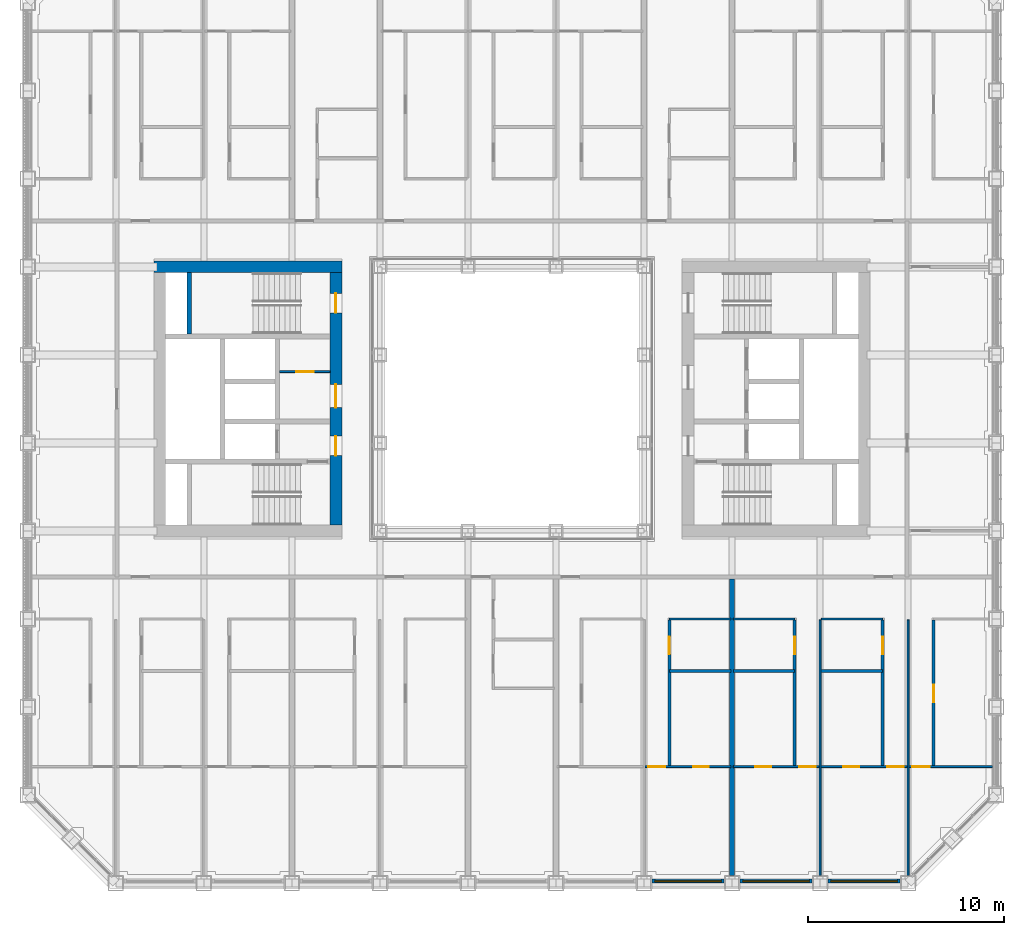
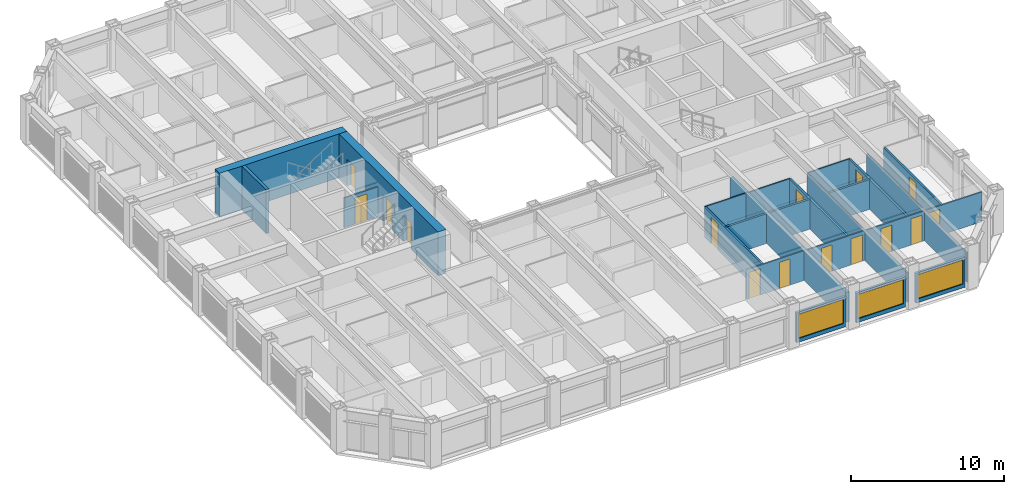
# One storey, part 11 of 20: 24 walls, 15 doors, 3 windows, 18 openings.
"""IFC4 building model written with IfcOpenShell, lengths in metres."""

from ifc_helpers import new_model, si_unit, direction, frame, frame_2d, origin, place, context, subcontext, project, spatial, rectangle, extrude, material, layer, layer_set, type_object, element, fill, save


model = new_model("IFC4")

# Units and contexts
model_context = context("Model", 3, precision=1e-05, world=origin(), true_north=direction((0.0, 1.0)))
body_context = subcontext(model_context, "Body", "Model", "MODEL_VIEW")
ifc_project = project(units=[si_unit("LENGTHUNIT", "METRE"), si_unit("AREAUNIT", "SQUARE_METRE"), si_unit("VOLUMEUNIT", "CUBIC_METRE"), si_unit("PLANEANGLEUNIT", "RADIAN"), si_unit("MASSUNIT", "GRAM", prefix="KILO")], contexts=[model_context])

# Site, building, storey
site_placement = place(None, origin())
site = spatial("IfcSite", under=ifc_project, at=site_placement, CompositionType="ELEMENT")
building_placement = place(site_placement, origin())
building = spatial("IfcBuilding", under=site, at=building_placement, Name="Msasa Ring Tower", CompositionType="ELEMENT")
storey_placement = place(building_placement, frame((0.0, 0.0, 65.0)))
storey = spatial("IfcBuildingStorey", under=building, at=storey_placement, Name="L16", CompositionType="ELEMENT", Elevation=65.0)

# Wall
ifc_material_1 = material(Name="Concrete C60/75", Category="concrete")
ifc_layer_1 = layer(ifc_material_1, 0.60009765625)
ifc_layer_set_1 = layer_set([ifc_layer_1], Name="CW1 CORE WALL 600")
wall_type_1 = type_object("IfcWallType", Name="CW1 CORE WALL 600", PredefinedType="SHEAR", material=ifc_layer_set_1)
wall_1_placement = place(storey_placement, frame((-8.699951171875, 6.75, 0.0), z_axis=(0.0, 0.0, 1.0), x_axis=(-1.0, 0.0, 0.0)))
element("IfcWall", 1, at=wall_1_placement, inside=storey, type_object=wall_type_1, Name="W core wall N L16", PredefinedType="SHEAR", context=body_context, shape_type="SweptSolid", body=[
    extrude(rectangle(XDim=9.60009765625, YDim=0.60009765625, at=frame_2d((4.800048828125, 0.0))), origin(), (0.0, 0.0, 1.0), 3.5),
])

# Wall, openings, doors
wall_2_placement = place(storey_placement, frame((-9.0, -6.449951171875, 0.0), z_axis=(0.0, 0.0, 1.0), x_axis=(0.0, 1.0, 0.0)))
wall_2 = element("IfcWall", 2, at=wall_2_placement, inside=storey, type_object=wall_type_1, Name="W core wall W L16", PredefinedType="SHEAR", context=body_context, shape_type="SweptSolid", body=[
    extrude(rectangle(XDim=12.89990234375, YDim=0.60009765625, at=frame_2d((6.449951171875, 0.0))), origin(), (0.0, 0.0, 1.0), 3.5),
])
opening_1_placement = place(wall_2_placement, frame((3.550048828125, 0.0, 0.0)))
opening_1 = element("IfcOpeningElement", 3, at=opening_1_placement, cuts=wall_2, Name="Opening RD-042", PredefinedType="OPENING", context=body_context, shape_type="SweptSolid", body=[
    extrude(rectangle(XDim=1.0, YDim=2.10009765625, at=frame_2d((0.5, 1.050048828125))), frame((0.0, 0.31005859375, 0.0), z_axis=(0.0, -1.0, 0.0), x_axis=(1.0, 0.0, 0.0)), (0.0, 0.0, 1.0), 0.6201171875),
])
opening_2_placement = place(wall_2_placement, frame((6.0, 0.0, 0.0)))
opening_2 = element("IfcOpeningElement", 4, at=opening_2_placement, cuts=wall_2, Name="Opening RD-039", PredefinedType="OPENING", context=body_context, shape_type="SweptSolid", body=[
    extrude(rectangle(XDim=1.199951171875, YDim=2.10009765625, at=frame_2d((0.60009765625, 1.050048828125))), frame((0.0, 0.31005859375, 0.0), z_axis=(0.0, -1.0, 0.0), x_axis=(1.0, 0.0, 0.0)), (0.0, 0.0, 1.0), 0.6201171875),
])
opening_3_placement = place(wall_2_placement, frame((10.85009765625, 0.0, 0.0)))
opening_3 = element("IfcOpeningElement", 5, at=opening_3_placement, cuts=wall_2, Name="Opening RD-035", PredefinedType="OPENING", context=body_context, shape_type="SweptSolid", body=[
    extrude(rectangle(XDim=1.0, YDim=2.10009765625, at=frame_2d((0.5, 1.050048828125))), frame((0.0, 0.31005859375, 0.0), z_axis=(0.0, -1.0, 0.0), x_axis=(1.0, 0.0, 0.0)), (0.0, 0.0, 1.0), 0.6201171875),
])
ifc_material_2 = material(Name="Timber door leaf in a steel frame", Category="steel")
door_type_1 = type_object("IfcDoorType", Name="D26 WIDE SERVICE ROOM DOOR 1200x2100", OperationType="SINGLE_SWING_LEFT", PredefinedType="DOOR", material=ifc_material_2)
door_1_placement = place(opening_2_placement, origin())
door_1 = element("IfcDoor", 6, at=door_1_placement, inside=storey, type_object=door_type_1, Name="Door L16-WCR", OperationType="SINGLE_SWING_RIGHT", OverallHeight=2.10009765625, OverallWidth=1.199951171875, PredefinedType="DOOR", context=body_context, shape_type="SweptSolid", body=[
    extrude(rectangle(XDim=1.199951171875, YDim=2.10009765625, at=frame_2d((0.60009765625, 1.050048828125))), frame((0.0, 0.02490234375, 0.0), z_axis=(0.0, -1.0, 0.0), x_axis=(1.0, 0.0, 0.0)), (0.0, 0.0, 1.0), 0.050048828125),
])
fill(opening_2, door_1)
ifc_material_3 = material(Name="Timber door leaf in a steel frame", Category="steel")
door_type_2 = type_object("IfcDoorType", Name="D4 LOBBY DOOR 1000x2100", OperationType="SINGLE_SWING_LEFT", PredefinedType="DOOR", material=ifc_material_3)
door_2_placement = place(opening_1_placement, origin())
door_2 = element("IfcDoor", 7, at=door_2_placement, inside=storey, type_object=door_type_2, Name="Door L16-WFFL", OperationType="SINGLE_SWING_LEFT", OverallHeight=2.10009765625, OverallWidth=1.0, PredefinedType="DOOR", context=body_context, shape_type="SweptSolid", body=[
    extrude(rectangle(XDim=1.0, YDim=2.10009765625, at=frame_2d((0.5, 1.050048828125))), frame((0.0, 0.02490234375, 0.0), z_axis=(0.0, -1.0, 0.0), x_axis=(1.0, 0.0, 0.0)), (0.0, 0.0, 1.0), 0.050048828125),
])
fill(opening_1, door_2)
ifc_material_4 = material(Name="Timber door leaf in a steel frame", Category="steel")
door_type_3 = type_object("IfcDoorType", Name="D6 STAIR DOOR 1000x2100", OperationType="SINGLE_SWING_LEFT", PredefinedType="DOOR", material=ifc_material_4)
door_3_placement = place(opening_3_placement, origin())
door_3 = element("IfcDoor", 8, at=door_3_placement, inside=storey, type_object=door_type_3, Name="Door L16-WSTB", OperationType="SINGLE_SWING_RIGHT", OverallHeight=2.10009765625, OverallWidth=1.0, PredefinedType="DOOR", context=body_context, shape_type="SweptSolid", body=[
    extrude(rectangle(XDim=1.0, YDim=2.10009765625, at=frame_2d((0.5, 1.050048828125))), frame((0.0, 0.02490234375, 0.0), z_axis=(0.0, -1.0, 0.0), x_axis=(1.0, 0.0, 0.0)), (0.0, 0.0, 1.0), 0.050048828125),
])
fill(opening_3, door_3)

# Wall
ifc_material_5 = material(Name="Concrete C60/75", Category="concrete")
ifc_layer_2 = layer(ifc_material_5, 0.25)
ifc_layer_set_2 = layer_set([ifc_layer_2], Name="CW4 CORE INNER WALL 250")
wall_type_2 = type_object("IfcWallType", Name="CW4 CORE INNER WALL 250", PredefinedType="SHEAR", material=ifc_layer_set_2)
wall_3_placement = place(storey_placement, frame((-16.5, 3.324951171875, 0.0), z_axis=(0.0, 0.0, 1.0), x_axis=(0.0, 1.0, 0.0)))
element("IfcWall", 9, at=wall_3_placement, inside=storey, type_object=wall_type_2, Name="W core wall RISERB L16", PredefinedType="SHEAR", context=body_context, shape_type="SweptSolid", body=[
    extrude(rectangle(XDim=3.125, YDim=0.25, at=frame_2d((1.5625, 0.0))), origin(), (0.0, 0.0, 1.0), 3.5),
])

# Wall, opening, window
ifc_material_6 = material(Name="Terracotta rainscreen on blockwork", Category="masonry")
ifc_layer_3 = layer(ifc_material_6, 0.199951171875)
ifc_layer_set_3 = layer_set([ifc_layer_3], Name="FW1 TERRACOTTA-LINED INFILL BAY WALL 200")
wall_type_3 = type_object("IfcWallType", Name="FW1 TERRACOTTA-LINED INFILL BAY WALL 200", PredefinedType="SOLIDWALL", material=ifc_layer_set_3)
wall_4_placement = place(storey_placement, frame((7.155029296875, -24.64990234375, 0.0), z_axis=(0.0, 0.0, 1.0), x_axis=(1.0, 0.0, 0.0)))
wall_4 = element("IfcWall", 10, at=wall_4_placement, inside=storey, type_object=wall_type_3, Name="Infill bay wall S L16 06", PredefinedType="SOLIDWALL", context=body_context, shape_type="SweptSolid", body=[
    extrude(rectangle(XDim=3.68994140625, YDim=0.199951171875, at=frame_2d((1.844970703125, 0.0))), origin(), (0.0, 0.0, 1.0), 2.37890625),
])
opening_4_placement = place(wall_4_placement, frame((0.14501953125, 0.0, 0.300048828125)))
opening_4 = element("IfcOpeningElement", 11, at=opening_4_placement, cuts=wall_4, Name="Opening WN1", PredefinedType="OPENING", context=body_context, shape_type="SweptSolid", body=[
    extrude(rectangle(XDim=3.39990234375, YDim=1.928955078125, at=frame_2d((1.699951171875, 0.96435546875))), frame((0.0, 0.10986328125, 0.0), z_axis=(0.0, -1.0, 0.0), x_axis=(1.0, 0.0, 0.0)), (0.0, 0.0, 1.0), 0.219970703125),
])
ifc_material_7 = material(Name="Aluminium frame with clear glass", Category="aluminium")
window_type = type_object("IfcWindowType", Name="WN1 RESIDENCE WINDOW 3400x1929", PartitioningType="SINGLE_PANEL", PredefinedType="WINDOW", material=ifc_material_7)
window_1_placement = place(opening_4_placement, origin())
window_1 = element("IfcWindow", 12, at=window_1_placement, inside=storey, type_object=window_type, Name="Window S L16 06", OverallHeight=1.928955078125, OverallWidth=3.39990234375, PartitioningType="SINGLE_PANEL", PredefinedType="WINDOW", context=body_context, shape_type="SweptSolid", body=[
    extrude(rectangle(XDim=3.39990234375, YDim=1.928955078125, at=frame_2d((1.699951171875, 0.96435546875))), frame((0.0, 0.030029296875, 0.0), z_axis=(0.0, -1.0, 0.0), x_axis=(1.0, 0.0, 0.0)), (0.0, 0.0, 1.0), 0.06005859375),
])
fill(opening_4, window_1)

wall_5_placement = place(storey_placement, frame((11.655029296875, -24.64990234375, 0.0), z_axis=(0.0, 0.0, 1.0), x_axis=(1.0, 0.0, 0.0)))
wall_5 = element("IfcWall", 13, at=wall_5_placement, inside=storey, type_object=wall_type_3, Name="Infill bay wall S L16 07", PredefinedType="SOLIDWALL", context=body_context, shape_type="SweptSolid", body=[
    extrude(rectangle(XDim=3.68994140625, YDim=0.199951171875, at=frame_2d((1.844970703125, 0.0))), origin(), (0.0, 0.0, 1.0), 2.37890625),
])
opening_5_placement = place(wall_5_placement, frame((0.14501953125, 0.0, 0.300048828125)))
opening_5 = element("IfcOpeningElement", 14, at=opening_5_placement, cuts=wall_5, Name="Opening WN1", PredefinedType="OPENING", context=body_context, shape_type="SweptSolid", body=[
    extrude(rectangle(XDim=3.39990234375, YDim=1.928955078125, at=frame_2d((1.699951171875, 0.96435546875))), frame((0.0, 0.10986328125, 0.0), z_axis=(0.0, -1.0, 0.0), x_axis=(1.0, 0.0, 0.0)), (0.0, 0.0, 1.0), 0.219970703125),
])
window_2_placement = place(opening_5_placement, origin())
window_2 = element("IfcWindow", 15, at=window_2_placement, inside=storey, type_object=window_type, Name="Window S L16 07", OverallHeight=1.928955078125, OverallWidth=3.39990234375, PartitioningType="SINGLE_PANEL", PredefinedType="WINDOW", context=body_context, shape_type="SweptSolid", body=[
    extrude(rectangle(XDim=3.39990234375, YDim=1.928955078125, at=frame_2d((1.699951171875, 0.96435546875))), frame((0.0, 0.030029296875, 0.0), z_axis=(0.0, -1.0, 0.0), x_axis=(1.0, 0.0, 0.0)), (0.0, 0.0, 1.0), 0.06005859375),
])
fill(opening_5, window_2)

wall_6_placement = place(storey_placement, frame((16.155029296875, -24.64990234375, 0.0), z_axis=(0.0, 0.0, 1.0), x_axis=(1.0, 0.0, 0.0)))
wall_6 = element("IfcWall", 16, at=wall_6_placement, inside=storey, type_object=wall_type_3, Name="Infill bay wall S L16 08", PredefinedType="SOLIDWALL", context=body_context, shape_type="SweptSolid", body=[
    extrude(rectangle(XDim=3.68994140625, YDim=0.199951171875, at=frame_2d((1.844970703125, 0.0))), origin(), (0.0, 0.0, 1.0), 2.37890625),
])
opening_6_placement = place(wall_6_placement, frame((0.14501953125, 0.0, 0.300048828125)))
opening_6 = element("IfcOpeningElement", 17, at=opening_6_placement, cuts=wall_6, Name="Opening WN1", PredefinedType="OPENING", context=body_context, shape_type="SweptSolid", body=[
    extrude(rectangle(XDim=3.39990234375, YDim=1.928955078125, at=frame_2d((1.699951171875, 0.96435546875))), frame((0.0, 0.10986328125, 0.0), z_axis=(0.0, -1.0, 0.0), x_axis=(1.0, 0.0, 0.0)), (0.0, 0.0, 1.0), 0.219970703125),
])
window_3_placement = place(opening_6_placement, origin())
window_3 = element("IfcWindow", 18, at=window_3_placement, inside=storey, type_object=window_type, Name="Window S L16 08", OverallHeight=1.928955078125, OverallWidth=3.39990234375, PartitioningType="SINGLE_PANEL", PredefinedType="WINDOW", context=body_context, shape_type="SweptSolid", body=[
    extrude(rectangle(XDim=3.39990234375, YDim=1.928955078125, at=frame_2d((1.699951171875, 0.96435546875))), frame((0.0, 0.030029296875, 0.0), z_axis=(0.0, -1.0, 0.0), x_axis=(1.0, 0.0, 0.0)), (0.0, 0.0, 1.0), 0.06005859375),
])
fill(opening_6, window_3)

# Wall
ifc_material_8 = material(Name="Gypsum board on steel studs", Category="steel")
ifc_layer_4 = layer(ifc_material_8, 0.10009765625)
ifc_layer_set_4 = layer_set([ifc_layer_4], Name="PT2 STUD PARTITION 100")
wall_type_4 = type_object("IfcWallType", Name="PT2 STUD PARTITION 100", PredefinedType="PARTITIONING", material=ifc_layer_set_4)
wall_7_placement = place(storey_placement, frame((8.050048828125, -11.25, 0.0), z_axis=(0.0, 0.0, 1.0), x_axis=(1.0, 0.0, 0.0)))
element("IfcWall", 19, at=wall_7_placement, inside=storey, type_object=wall_type_4, Name="Partition L16-US03HY1", PredefinedType="PARTITIONING", context=body_context, shape_type="SweptSolid", body=[
    extrude(rectangle(XDim=3.139892578125, YDim=0.10009765625, at=frame_2d((1.56982421875, 0.0))), origin(), (0.0, 0.0, 1.0), 2.373291015625),
])

# Wall, openings, doors
wall_8_placement = place(storey_placement, frame((6.800048828125, -18.800048828125, 0.0), z_axis=(0.0, 0.0, 1.0), x_axis=(1.0, 0.0, 0.0)))
wall_8 = element("IfcWall", 20, at=wall_8_placement, inside=storey, type_object=wall_type_4, Name="Partition L16-US03SY1", PredefinedType="PARTITIONING", context=body_context, shape_type="SweptSolid", body=[
    extrude(rectangle(XDim=4.389892578125, YDim=0.10009765625, at=frame_2d((2.19482421875, 0.0))), origin(), (0.0, 0.0, 1.0), 2.373291015625),
])
opening_7_placement = place(wall_8_placement, frame((0.175048828125, 0.0, 0.0)))
opening_7 = element("IfcOpeningElement", 21, at=opening_7_placement, cuts=wall_8, Name="Opening RD-073", PredefinedType="OPENING", context=body_context, shape_type="SweptSolid", body=[
    extrude(rectangle(XDim=0.85009765625, YDim=2.10009765625, at=frame_2d((0.425048828125, 1.050048828125))), frame((0.0, 0.06005859375, 0.0), z_axis=(0.0, -1.0, 0.0), x_axis=(1.0, 0.0, 0.0)), (0.0, 0.0, 1.0), 0.1201171875),
])
opening_8_placement = place(wall_8_placement, frame((2.4599609375, 0.0, 0.0)))
opening_8 = element("IfcOpeningElement", 22, at=opening_8_placement, cuts=wall_8, Name="Opening RD-074", PredefinedType="OPENING", context=body_context, shape_type="SweptSolid", body=[
    extrude(rectangle(XDim=0.800048828125, YDim=2.10009765625, at=frame_2d((0.39990234375, 1.050048828125))), frame((0.0, 0.06005859375, 0.0), z_axis=(0.0, -1.0, 0.0), x_axis=(1.0, 0.0, 0.0)), (0.0, 0.0, 1.0), 0.1201171875),
])
ifc_material_9 = material(Name="Timber door leaf in a steel frame", Category="steel")
door_type_4 = type_object("IfcDoorType", Name="D14 BEDROOM DOOR 850x2100", OperationType="SINGLE_SWING_LEFT", PredefinedType="DOOR", material=ifc_material_9)
door_4_placement = place(opening_7_placement, origin())
door_4 = element("IfcDoor", 23, at=door_4_placement, inside=storey, type_object=door_type_4, Name="Door L16-US03R1", OperationType="SINGLE_SWING_LEFT", OverallHeight=2.10009765625, OverallWidth=0.85009765625, PredefinedType="DOOR", context=body_context, shape_type="SweptSolid", body=[
    extrude(rectangle(XDim=0.85009765625, YDim=2.10009765625, at=frame_2d((0.425048828125, 1.050048828125))), frame((0.0, 0.02490234375, 0.0), z_axis=(0.0, -1.0, 0.0), x_axis=(1.0, 0.0, 0.0)), (0.0, 0.0, 1.0), 0.050048828125),
])
fill(opening_7, door_4)
ifc_material_10 = material(Name="Timber door leaf in a steel frame", Category="steel")
door_type_5 = type_object("IfcDoorType", Name="D60 DRESSING ROOM DOOR 800x2100", OperationType="SINGLE_SWING_LEFT", PredefinedType="DOOR", material=ifc_material_10)
door_5_placement = place(opening_8_placement, origin())
door_5 = element("IfcDoor", 24, at=door_5_placement, inside=storey, type_object=door_type_5, Name="Door L16-US03W1", OperationType="SINGLE_SWING_RIGHT", OverallHeight=2.10009765625, OverallWidth=0.800048828125, PredefinedType="DOOR", context=body_context, shape_type="SweptSolid", body=[
    extrude(rectangle(XDim=0.800048828125, YDim=2.10009765625, at=frame_2d((0.39990234375, 1.050048828125))), frame((0.0, 0.02490234375, 0.0), z_axis=(0.0, -1.0, 0.0), x_axis=(1.0, 0.0, 0.0)), (0.0, 0.0, 1.0), 0.050048828125),
])
fill(opening_8, door_5)

# Wall, opening, door
wall_9_placement = place(storey_placement, frame((20.300048828125, -18.800048828125, 0.0), z_axis=(0.0, 0.0, 1.0), x_axis=(1.0, 0.0, 0.0)))
wall_9 = element("IfcWall", 25, at=wall_9_placement, inside=storey, type_object=wall_type_4, Name="Partition L16-US04SY0", PredefinedType="PARTITIONING", context=body_context, shape_type="SweptSolid", body=[
    extrude(rectangle(XDim=4.25, YDim=0.10009765625, at=frame_2d((2.125, 0.0))), origin(), (0.0, 0.0, 1.0), 2.373291015625),
])
opening_9_placement = place(wall_9_placement, frame((0.14990234375, 0.0, 0.0)))
opening_9 = element("IfcOpeningElement", 26, at=opening_9_placement, cuts=wall_9, Name="Opening RD-079", PredefinedType="OPENING", context=body_context, shape_type="SweptSolid", body=[
    extrude(rectangle(XDim=0.89990234375, YDim=2.10009765625, at=frame_2d((0.449951171875, 1.050048828125))), frame((0.0, 0.06005859375, 0.0), z_axis=(0.0, -1.0, 0.0), x_axis=(1.0, 0.0, 0.0)), (0.0, 0.0, 1.0), 0.1201171875),
])
ifc_material_11 = material(Name="Timber door leaf in a steel frame", Category="steel")
door_type_6 = type_object("IfcDoorType", Name="D22 INTERNAL HALL DOOR 900x2100", OperationType="SINGLE_SWING_LEFT", PredefinedType="DOOR", material=ifc_material_11)
door_6_placement = place(opening_9_placement, origin())
door_6 = element("IfcDoor", 27, at=door_6_placement, inside=storey, type_object=door_type_6, Name="Door L16-US04L", OperationType="SINGLE_SWING_LEFT", OverallHeight=2.10009765625, OverallWidth=0.89990234375, PredefinedType="DOOR", context=body_context, shape_type="SweptSolid", body=[
    extrude(rectangle(XDim=0.89990234375, YDim=2.10009765625, at=frame_2d((0.449951171875, 1.050048828125))), frame((0.0, 0.02490234375, 0.0), z_axis=(0.0, -1.0, 0.0), x_axis=(1.0, 0.0, 0.0)), (0.0, 0.0, 1.0), 0.050048828125),
])
fill(opening_9, door_6)

# Walls
wall_10_placement = place(storey_placement, frame((20.25, -24.35009765625, 0.0), z_axis=(0.0, 0.0, 1.0), x_axis=(0.0, 1.0, 0.0)))
element("IfcWall", 28, at=wall_10_placement, inside=storey, type_object=wall_type_4, Name="Partition L16-US04P1", PredefinedType="PARTITIONING", context=body_context, shape_type="SweptSolid", body=[
    extrude(rectangle(XDim=13.050048828125, YDim=0.10009765625, at=frame_2d((6.52490234375, 0.0))), origin(), (0.0, 0.0, 1.0), 2.373291015625),
])
wall_11_placement = place(storey_placement, frame((15.81005859375, -11.25, 0.0), z_axis=(0.0, 0.0, 1.0), x_axis=(1.0, 0.0, 0.0)))
element("IfcWall", 29, at=wall_11_placement, inside=storey, type_object=wall_type_4, Name="Partition L16-US04HY1", PredefinedType="PARTITIONING", context=body_context, shape_type="SweptSolid", body=[
    extrude(rectangle(XDim=3.139892578125, YDim=0.10009765625, at=frame_2d((1.56982421875, 0.0))), origin(), (0.0, 0.0, 1.0), 2.373291015625),
])

# Wall, openings, doors
wall_12_placement = place(storey_placement, frame((15.800048828125, -18.800048828125, 0.0), z_axis=(0.0, 0.0, 1.0), x_axis=(1.0, 0.0, 0.0)))
wall_12 = element("IfcWall", 30, at=wall_12_placement, inside=storey, type_object=wall_type_4, Name="Partition L16-US04SY1", PredefinedType="PARTITIONING", context=body_context, shape_type="SweptSolid", body=[
    extrude(rectangle(XDim=4.39990234375, YDim=0.10009765625, at=frame_2d((2.199951171875, 0.0))), origin(), (0.0, 0.0, 1.0), 2.373291015625),
])
opening_10_placement = place(wall_12_placement, frame((3.375, 0.0, 0.0)))
opening_10 = element("IfcOpeningElement", 31, at=opening_10_placement, cuts=wall_12, Name="Opening RD-078", PredefinedType="OPENING", context=body_context, shape_type="SweptSolid", body=[
    extrude(rectangle(XDim=0.85009765625, YDim=2.10009765625, at=frame_2d((0.425048828125, 1.050048828125))), frame((0.0, 0.06005859375, 0.0), z_axis=(0.0, -1.0, 0.0), x_axis=(1.0, 0.0, 0.0)), (0.0, 0.0, 1.0), 0.1201171875),
])
opening_11_placement = place(wall_12_placement, frame((1.139892578125, 0.0, 0.0)))
opening_11 = element("IfcOpeningElement", 32, at=opening_11_placement, cuts=wall_12, Name="Opening RD-077", PredefinedType="OPENING", context=body_context, shape_type="SweptSolid", body=[
    extrude(rectangle(XDim=0.800048828125, YDim=2.10009765625, at=frame_2d((0.39990234375, 1.050048828125))), frame((0.0, 0.06005859375, 0.0), z_axis=(0.0, -1.0, 0.0), x_axis=(1.0, 0.0, 0.0)), (0.0, 0.0, 1.0), 0.1201171875),
])
door_7_placement = place(opening_10_placement, origin())
door_7 = element("IfcDoor", 33, at=door_7_placement, inside=storey, type_object=door_type_4, Name="Door L16-US04R1", OperationType="SINGLE_SWING_RIGHT", OverallHeight=2.10009765625, OverallWidth=0.85009765625, PredefinedType="DOOR", context=body_context, shape_type="SweptSolid", body=[
    extrude(rectangle(XDim=0.85009765625, YDim=2.10009765625, at=frame_2d((0.425048828125, 1.050048828125))), frame((0.0, 0.02490234375, 0.0), z_axis=(0.0, -1.0, 0.0), x_axis=(1.0, 0.0, 0.0)), (0.0, 0.0, 1.0), 0.050048828125),
])
fill(opening_10, door_7)
door_8_placement = place(opening_11_placement, origin())
door_8 = element("IfcDoor", 34, at=door_8_placement, inside=storey, type_object=door_type_5, Name="Door L16-US04W1", OperationType="SINGLE_SWING_LEFT", OverallHeight=2.10009765625, OverallWidth=0.800048828125, PredefinedType="DOOR", context=body_context, shape_type="SweptSolid", body=[
    extrude(rectangle(XDim=0.800048828125, YDim=2.10009765625, at=frame_2d((0.39990234375, 1.050048828125))), frame((0.0, 0.02490234375, 0.0), z_axis=(0.0, -1.0, 0.0), x_axis=(1.0, 0.0, 0.0)), (0.0, 0.0, 1.0), 0.050048828125),
])
fill(opening_11, door_8)

# Walls
wall_13_placement = place(storey_placement, frame((15.75, -24.35009765625, 0.0), z_axis=(0.0, 0.0, 1.0), x_axis=(0.0, 1.0, 0.0)))
element("IfcWall", 35, at=wall_13_placement, inside=storey, type_object=wall_type_4, Name="Partition L16-US04P2", PredefinedType="PARTITIONING", context=body_context, shape_type="SweptSolid", body=[
    extrude(rectangle(XDim=13.050048828125, YDim=0.10009765625, at=frame_2d((6.52490234375, 0.0))), origin(), (0.0, 0.0, 1.0), 2.373291015625),
])
wall_14_placement = place(storey_placement, frame((11.31005859375, -11.25, 0.0), z_axis=(0.0, 0.0, 1.0), x_axis=(1.0, 0.0, 0.0)))
element("IfcWall", 36, at=wall_14_placement, inside=storey, type_object=wall_type_4, Name="Partition L16-US04HY2", PredefinedType="PARTITIONING", context=body_context, shape_type="SweptSolid", body=[
    extrude(rectangle(XDim=3.139892578125, YDim=0.10009765625, at=frame_2d((1.56982421875, 0.0))), origin(), (0.0, 0.0, 1.0), 2.373291015625),
])

# Wall, openings, doors
wall_15_placement = place(storey_placement, frame((11.31005859375, -18.800048828125, 0.0), z_axis=(0.0, 0.0, 1.0), x_axis=(1.0, 0.0, 0.0)))
wall_15 = element("IfcWall", 37, at=wall_15_placement, inside=storey, type_object=wall_type_4, Name="Partition L16-US04SY2", PredefinedType="PARTITIONING", context=body_context, shape_type="SweptSolid", body=[
    extrude(rectangle(XDim=4.389892578125, YDim=0.10009765625, at=frame_2d((2.19482421875, 0.0))), origin(), (0.0, 0.0, 1.0), 2.373291015625),
])
opening_12_placement = place(wall_15_placement, frame((3.364990234375, 0.0, 0.0)))
opening_12 = element("IfcOpeningElement", 38, at=opening_12_placement, cuts=wall_15, Name="Opening RD-076", PredefinedType="OPENING", context=body_context, shape_type="SweptSolid", body=[
    extrude(rectangle(XDim=0.85009765625, YDim=2.10009765625, at=frame_2d((0.425048828125, 1.050048828125))), frame((0.0, 0.06005859375, 0.0), z_axis=(0.0, -1.0, 0.0), x_axis=(1.0, 0.0, 0.0)), (0.0, 0.0, 1.0), 0.1201171875),
])
opening_13_placement = place(wall_15_placement, frame((1.1298828125, 0.0, 0.0)))
opening_13 = element("IfcOpeningElement", 39, at=opening_13_placement, cuts=wall_15, Name="Opening RD-075", PredefinedType="OPENING", context=body_context, shape_type="SweptSolid", body=[
    extrude(rectangle(XDim=0.800048828125, YDim=2.10009765625, at=frame_2d((0.39990234375, 1.050048828125))), frame((0.0, 0.06005859375, 0.0), z_axis=(0.0, -1.0, 0.0), x_axis=(1.0, 0.0, 0.0)), (0.0, 0.0, 1.0), 0.1201171875),
])
door_9_placement = place(opening_12_placement, origin())
door_9 = element("IfcDoor", 40, at=door_9_placement, inside=storey, type_object=door_type_4, Name="Door L16-US04R2", OperationType="SINGLE_SWING_RIGHT", OverallHeight=2.10009765625, OverallWidth=0.85009765625, PredefinedType="DOOR", context=body_context, shape_type="SweptSolid", body=[
    extrude(rectangle(XDim=0.85009765625, YDim=2.10009765625, at=frame_2d((0.425048828125, 1.050048828125))), frame((0.0, 0.02490234375, 0.0), z_axis=(0.0, -1.0, 0.0), x_axis=(1.0, 0.0, 0.0)), (0.0, 0.0, 1.0), 0.050048828125),
])
fill(opening_12, door_9)
door_10_placement = place(opening_13_placement, origin())
door_10 = element("IfcDoor", 41, at=door_10_placement, inside=storey, type_object=door_type_5, Name="Door L16-US04W2", OperationType="SINGLE_SWING_LEFT", OverallHeight=2.10009765625, OverallWidth=0.800048828125, PredefinedType="DOOR", context=body_context, shape_type="SweptSolid", body=[
    extrude(rectangle(XDim=0.800048828125, YDim=2.10009765625, at=frame_2d((0.39990234375, 1.050048828125))), frame((0.0, 0.02490234375, 0.0), z_axis=(0.0, -1.0, 0.0), x_axis=(1.0, 0.0, 0.0)), (0.0, 0.0, 1.0), 0.050048828125),
])
fill(opening_13, door_10)

# Wall, opening, door
wall_16_placement = place(storey_placement, frame((-11.875, 1.39990234375, 0.0), z_axis=(0.0, 0.0, 1.0), x_axis=(1.0, 0.0, 0.0)))
wall_16 = element("IfcWall", 42, at=wall_16_placement, inside=storey, type_object=wall_type_4, Name="Partition L16-WCP", PredefinedType="PARTITIONING", context=body_context, shape_type="SweptSolid", body=[
    extrude(rectangle(XDim=2.574951171875, YDim=0.10009765625, at=frame_2d((1.28759765625, 0.0))), origin(), (0.0, 0.0, 1.0), 2.373291015625),
])
opening_14_placement = place(wall_16_placement, frame((0.83740234375, 0.0, 0.0)))
opening_14 = element("IfcOpeningElement", 43, at=opening_14_placement, cuts=wall_16, Name="Opening RD-037", PredefinedType="OPENING", context=body_context, shape_type="SweptSolid", body=[
    extrude(rectangle(XDim=0.89990234375, YDim=2.10009765625, at=frame_2d((0.449951171875, 1.050048828125))), frame((0.0, 0.06005859375, 0.0), z_axis=(0.0, -1.0, 0.0), x_axis=(1.0, 0.0, 0.0)), (0.0, 0.0, 1.0), 0.1201171875),
])
door_11_placement = place(opening_14_placement, origin())
door_11 = element("IfcDoor", 44, at=door_11_placement, inside=storey, type_object=door_type_6, Name="Door L16-WCP", OperationType="SINGLE_SWING_LEFT", OverallHeight=2.10009765625, OverallWidth=0.89990234375, PredefinedType="DOOR", context=body_context, shape_type="SweptSolid", body=[
    extrude(rectangle(XDim=0.89990234375, YDim=2.10009765625, at=frame_2d((0.449951171875, 1.050048828125))), frame((0.0, 0.02490234375, 0.0), z_axis=(0.0, -1.0, 0.0), x_axis=(1.0, 0.0, 0.0)), (0.0, 0.0, 1.0), 0.050048828125),
])
fill(opening_14, door_11)

# Wall
ifc_material_12 = material(Name="Dense concrete blockwork, plastered both faces", Category="masonry")
ifc_layer_5 = layer(ifc_material_12, 0.25)
ifc_layer_set_5 = layer_set([ifc_layer_5], Name="PT3 APARTMENT SEPARATING WALL 250")
wall_type_5 = type_object("IfcWallType", Name="PT3 APARTMENT SEPARATING WALL 250", PredefinedType="PARTITIONING", material=ifc_layer_set_5)
wall_17_placement = place(storey_placement, frame((11.25, -24.35009765625, 0.0), z_axis=(0.0, 0.0, 1.0), x_axis=(0.0, 1.0, 0.0)))
element("IfcWall", 45, at=wall_17_placement, inside=storey, type_object=wall_type_5, Name="Party wall L16-PWS+11.25", PredefinedType="PARTITIONING", context=body_context, shape_type="SweptSolid", body=[
    extrude(rectangle(XDim=15.150146484375, YDim=0.25, at=frame_2d((7.5751953125, 0.0))), origin(), (0.0, 0.0, 1.0), 2.373291015625),
])

# Wall, opening, door
ifc_material_13 = material(Name="Moisture-resistant board on steel studs with a concealed cistern and pipe void, tiled", Category="steel")
ifc_layer_6 = layer(ifc_material_13, 0.14990234375)
ifc_layer_set_6 = layer_set([ifc_layer_6], Name="PT4 BATHROOM WET WALL 150")
wall_type_6 = type_object("IfcWallType", Name="PT4 BATHROOM WET WALL 150", PredefinedType="PARTITIONING", material=ifc_layer_set_6)
wall_18_placement = place(storey_placement, frame((8.050048828125, -18.800048828125, 0.0), z_axis=(0.0, 0.0, 1.0), x_axis=(0.0, 1.0, 0.0)))
wall_18 = element("IfcWall", 46, at=wall_18_placement, inside=storey, type_object=wall_type_6, Name="Partition L16-US03SX1", PredefinedType="PARTITIONING", context=body_context, shape_type="SweptSolid", body=[
    extrude(rectangle(XDim=7.5, YDim=0.14990234375, at=frame_2d((3.75, 0.0))), origin(), (0.0, 0.0, 1.0), 2.373291015625),
])
opening_15_placement = place(wall_18_placement, frame((5.75, 0.0, 0.0)))
opening_15 = element("IfcOpeningElement", 47, at=opening_15_placement, cuts=wall_18, Name="Opening RD-056", PredefinedType="OPENING", context=body_context, shape_type="SweptSolid", body=[
    extrude(rectangle(XDim=0.89990234375, YDim=2.10009765625, at=frame_2d((0.449951171875, 1.050048828125))), frame((0.0, 0.0849609375, 0.0), z_axis=(0.0, -1.0, 0.0), x_axis=(1.0, 0.0, 0.0)), (0.0, 0.0, 1.0), 0.169921875),
])
ifc_material_14 = material(Name="Timber door leaf in a steel frame", Category="steel")
door_type_7 = type_object("IfcDoorType", Name="D3 BATHROOM DOOR 900x2100", OperationType="SINGLE_SWING_LEFT", PredefinedType="DOOR", material=ifc_material_14)
door_12_placement = place(opening_15_placement, origin())
door_12 = element("IfcDoor", 48, at=door_12_placement, inside=storey, type_object=door_type_7, Name="Door L16-US03B1", OperationType="SINGLE_SWING_RIGHT", OverallHeight=2.10009765625, OverallWidth=0.89990234375, PredefinedType="DOOR", context=body_context, shape_type="SweptSolid", body=[
    extrude(rectangle(XDim=0.89990234375, YDim=2.10009765625, at=frame_2d((0.449951171875, 1.050048828125))), frame((0.0, 0.02490234375, 0.0), z_axis=(0.0, -1.0, 0.0), x_axis=(1.0, 0.0, 0.0)), (0.0, 0.0, 1.0), 0.050048828125),
])
fill(opening_15, door_12)

# Wall
wall_19_placement = place(storey_placement, frame((8.050048828125, -13.89990234375, 0.0), z_axis=(0.0, 0.0, 1.0), x_axis=(1.0, 0.0, 0.0)))
element("IfcWall", 49, at=wall_19_placement, inside=storey, type_object=wall_type_6, Name="Partition L16-US03SB1", PredefinedType="PARTITIONING", context=body_context, shape_type="SweptSolid", body=[
    extrude(rectangle(XDim=3.139892578125, YDim=0.14990234375, at=frame_2d((1.56982421875, 0.0))), origin(), (0.0, 0.0, 1.0), 2.373291015625),
])

# Wall, opening, door
wall_20_placement = place(storey_placement, frame((21.550048828125, -18.800048828125, 0.0), z_axis=(0.0, 0.0, 1.0), x_axis=(0.0, 1.0, 0.0)))
wall_20 = element("IfcWall", 50, at=wall_20_placement, inside=storey, type_object=wall_type_6, Name="Partition L16-US04SX0", PredefinedType="PARTITIONING", context=body_context, shape_type="SweptSolid", body=[
    extrude(rectangle(XDim=7.5, YDim=0.14990234375, at=frame_2d((3.75, 0.0))), origin(), (0.0, 0.0, 1.0), 2.373291015625),
])
opening_16_placement = place(wall_20_placement, frame((3.300048828125, 0.0, 0.0)))
opening_16 = element("IfcOpeningElement", 51, at=opening_16_placement, cuts=wall_20, Name="Opening RD-063", PredefinedType="OPENING", context=body_context, shape_type="SweptSolid", body=[
    extrude(rectangle(XDim=0.89990234375, YDim=2.10009765625, at=frame_2d((0.449951171875, 1.050048828125))), frame((0.0, 0.0849609375, 0.0), z_axis=(0.0, -1.0, 0.0), x_axis=(1.0, 0.0, 0.0)), (0.0, 0.0, 1.0), 0.169921875),
])
door_13_placement = place(opening_16_placement, origin())
door_13 = element("IfcDoor", 52, at=door_13_placement, inside=storey, type_object=door_type_6, Name="Door L16-US04K", OperationType="SINGLE_SWING_LEFT", OverallHeight=2.10009765625, OverallWidth=0.89990234375, PredefinedType="DOOR", context=body_context, shape_type="SweptSolid", body=[
    extrude(rectangle(XDim=0.89990234375, YDim=2.10009765625, at=frame_2d((0.449951171875, 1.050048828125))), frame((0.0, 0.02490234375, 0.0), z_axis=(0.0, -1.0, 0.0), x_axis=(1.0, 0.0, 0.0)), (0.0, 0.0, 1.0), 0.050048828125),
])
fill(opening_16, door_13)

wall_21_placement = place(storey_placement, frame((18.949951171875, -18.800048828125, 0.0), z_axis=(0.0, 0.0, 1.0), x_axis=(0.0, 1.0, 0.0)))
wall_21 = element("IfcWall", 53, at=wall_21_placement, inside=storey, type_object=wall_type_6, Name="Partition L16-US04SX1", PredefinedType="PARTITIONING", context=body_context, shape_type="SweptSolid", body=[
    extrude(rectangle(XDim=7.5, YDim=0.14990234375, at=frame_2d((3.75, 0.0))), origin(), (0.0, 0.0, 1.0), 2.373291015625),
])
opening_17_placement = place(wall_21_placement, frame((5.75, 0.0, 0.0)))
opening_17 = element("IfcOpeningElement", 54, at=opening_17_placement, cuts=wall_21, Name="Opening RD-058", PredefinedType="OPENING", context=body_context, shape_type="SweptSolid", body=[
    extrude(rectangle(XDim=0.89990234375, YDim=2.10009765625, at=frame_2d((0.449951171875, 1.050048828125))), frame((0.0, 0.0849609375, 0.0), z_axis=(0.0, -1.0, 0.0), x_axis=(1.0, 0.0, 0.0)), (0.0, 0.0, 1.0), 0.169921875),
])
door_14_placement = place(opening_17_placement, origin())
door_14 = element("IfcDoor", 55, at=door_14_placement, inside=storey, type_object=door_type_7, Name="Door L16-US04B1", OperationType="SINGLE_SWING_RIGHT", OverallHeight=2.10009765625, OverallWidth=0.89990234375, PredefinedType="DOOR", context=body_context, shape_type="SweptSolid", body=[
    extrude(rectangle(XDim=0.89990234375, YDim=2.10009765625, at=frame_2d((0.449951171875, 1.050048828125))), frame((0.0, 0.02490234375, 0.0), z_axis=(0.0, -1.0, 0.0), x_axis=(1.0, 0.0, 0.0)), (0.0, 0.0, 1.0), 0.050048828125),
])
fill(opening_17, door_14)

# Wall
wall_22_placement = place(storey_placement, frame((15.800048828125, -13.89990234375, 0.0), z_axis=(0.0, 0.0, 1.0), x_axis=(1.0, 0.0, 0.0)))
element("IfcWall", 56, at=wall_22_placement, inside=storey, type_object=wall_type_6, Name="Partition L16-US04SB1", PredefinedType="PARTITIONING", context=body_context, shape_type="SweptSolid", body=[
    extrude(rectangle(XDim=3.14990234375, YDim=0.14990234375, at=frame_2d((1.574951171875, 0.0))), origin(), (0.0, 0.0, 1.0), 2.373291015625),
])

# Wall, opening, door
wall_23_placement = place(storey_placement, frame((14.449951171875, -18.800048828125, 0.0), z_axis=(0.0, 0.0, 1.0), x_axis=(0.0, 1.0, 0.0)))
wall_23 = element("IfcWall", 57, at=wall_23_placement, inside=storey, type_object=wall_type_6, Name="Partition L16-US04SX2", PredefinedType="PARTITIONING", context=body_context, shape_type="SweptSolid", body=[
    extrude(rectangle(XDim=7.5, YDim=0.14990234375, at=frame_2d((3.75, 0.0))), origin(), (0.0, 0.0, 1.0), 2.373291015625),
])
opening_18_placement = place(wall_23_placement, frame((5.75, 0.0, 0.0)))
opening_18 = element("IfcOpeningElement", 58, at=opening_18_placement, cuts=wall_23, Name="Opening RD-057", PredefinedType="OPENING", context=body_context, shape_type="SweptSolid", body=[
    extrude(rectangle(XDim=0.89990234375, YDim=2.10009765625, at=frame_2d((0.449951171875, 1.050048828125))), frame((0.0, 0.0849609375, 0.0), z_axis=(0.0, -1.0, 0.0), x_axis=(1.0, 0.0, 0.0)), (0.0, 0.0, 1.0), 0.169921875),
])
door_15_placement = place(opening_18_placement, origin())
door_15 = element("IfcDoor", 59, at=door_15_placement, inside=storey, type_object=door_type_7, Name="Door L16-US04B2", OperationType="SINGLE_SWING_RIGHT", OverallHeight=2.10009765625, OverallWidth=0.89990234375, PredefinedType="DOOR", context=body_context, shape_type="SweptSolid", body=[
    extrude(rectangle(XDim=0.89990234375, YDim=2.10009765625, at=frame_2d((0.449951171875, 1.050048828125))), frame((0.0, 0.02490234375, 0.0), z_axis=(0.0, -1.0, 0.0), x_axis=(1.0, 0.0, 0.0)), (0.0, 0.0, 1.0), 0.050048828125),
])
fill(opening_18, door_15)

# Wall
wall_24_placement = place(storey_placement, frame((11.31005859375, -13.89990234375, 0.0), z_axis=(0.0, 0.0, 1.0), x_axis=(1.0, 0.0, 0.0)))
element("IfcWall", 60, at=wall_24_placement, inside=storey, type_object=wall_type_6, Name="Partition L16-US04SB2", PredefinedType="PARTITIONING", context=body_context, shape_type="SweptSolid", body=[
    extrude(rectangle(XDim=3.139892578125, YDim=0.14990234375, at=frame_2d((1.56982421875, 0.0))), origin(), (0.0, 0.0, 1.0), 2.373291015625),
])

save(model, "model.ifc")
